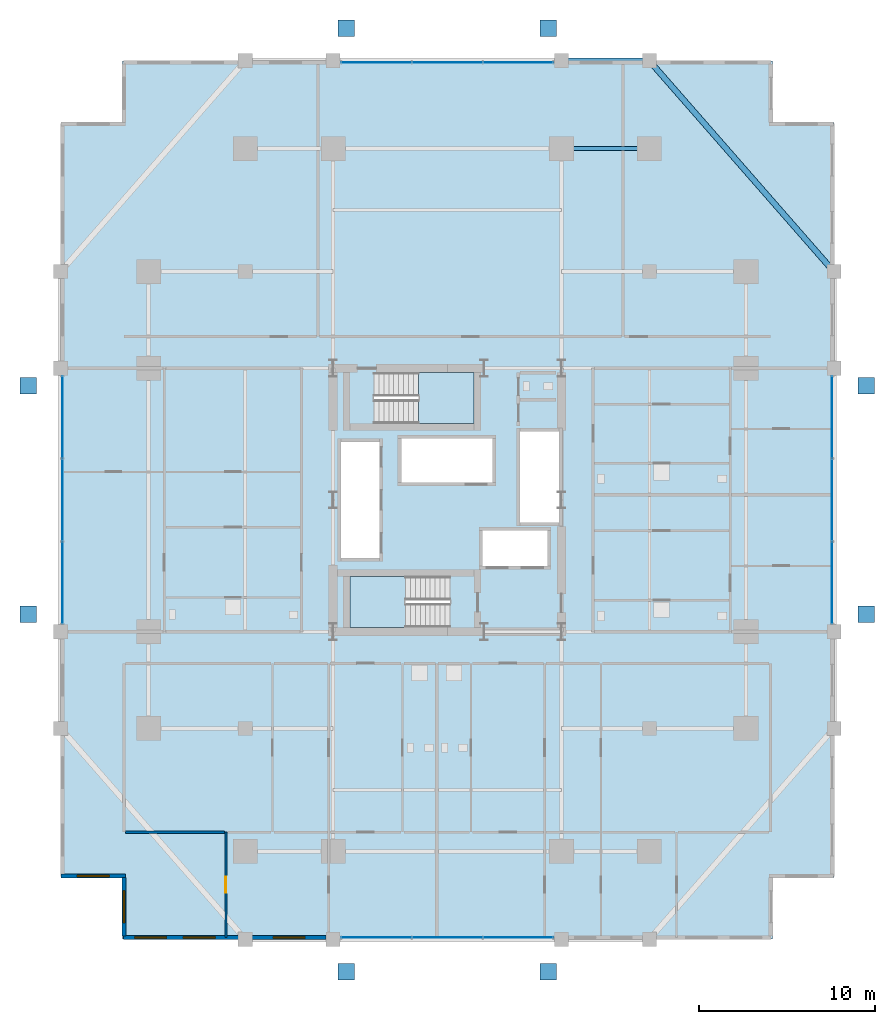
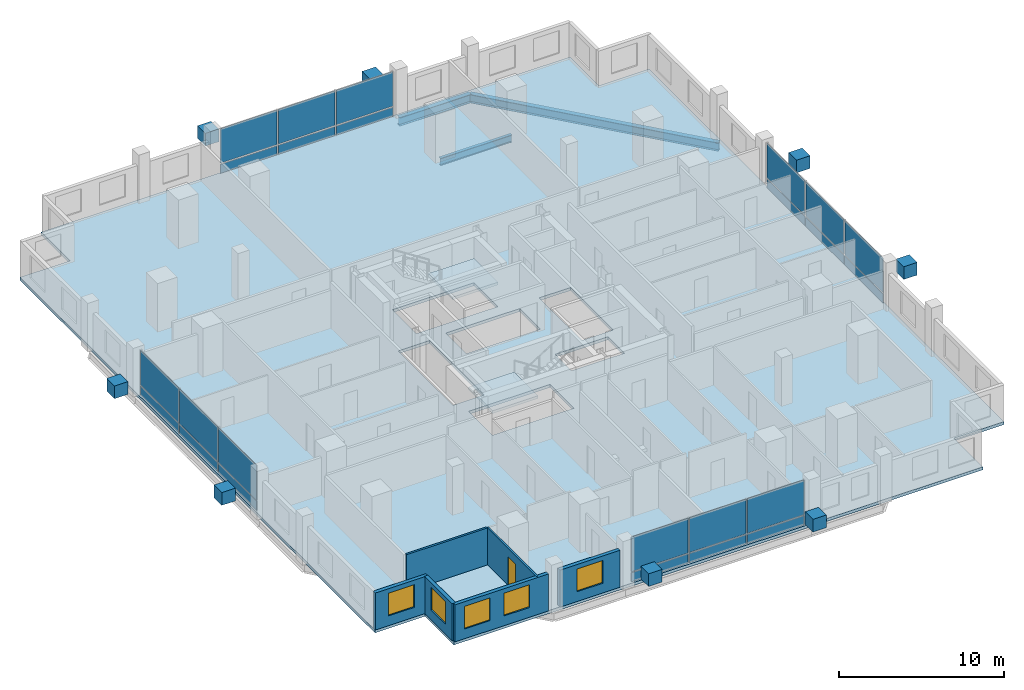
# One storey, part 16 of 23: 32 plates, 6 walls, 5 windows, 3 beams, 3 slabs, 1 door, 6 openings, 6 elements without a shape of their own.
"""IFC4 building model written with IfcOpenShell, lengths in metres."""

from ifc_helpers import new_model, si_unit, direction, frame, frame_2d, origin, origin_2d, place, context, subcontext, project, spatial, polyline, rectangle, i_section, outline, extrude, material, layer, layer_set, material_profile, profile_set, type_object, element, fill, aggregate, save


model = new_model("IFC4")

# Units and contexts
model_context = context("Model", 3, precision=1e-05, world=origin(), true_north=direction((0.0, 1.0)))
body_context = subcontext(model_context, "Body", "Model", "MODEL_VIEW")
ifc_project = project(units=[si_unit("LENGTHUNIT", "METRE"), si_unit("AREAUNIT", "SQUARE_METRE"), si_unit("VOLUMEUNIT", "CUBIC_METRE"), si_unit("PLANEANGLEUNIT", "RADIAN"), si_unit("MASSUNIT", "GRAM", prefix="KILO")], contexts=[model_context])

# Site, building, storey
site_placement = place(None, origin())
site = spatial("IfcSite", under=ifc_project, at=site_placement, CompositionType="ELEMENT")
building_placement = place(site_placement, origin())
building = spatial("IfcBuilding", under=site, at=building_placement, Name="Barlavira Tower and Art Museum", CompositionType="ELEMENT")
storey_placement = place(building_placement, frame((0.0, 0.0, 75.60009765625)))
storey = spatial("IfcBuildingStorey", under=building, at=storey_placement, Name="L18", CompositionType="ELEMENT", Elevation=75.60009765625)

# Beams
ifc_material_1 = material(Name="Steel S355", Category="steel")
ifc_material_profile_1 = material_profile(ifc_material_1, i_section(OverallWidth=0.327880859375, OverallDepth=0.62890625, WebThickness=0.013916015625, FlangeThickness=0.021484375, at=origin_2d()), Name="W610x174.0")
ifc_profile_set_1 = profile_set([ifc_material_profile_1], Name="Steel S355")
beam_type_1 = type_object("IfcBeamType", Name="Perimeter Spandrel Edge Beam W610x174 Steel S355", PredefinedType="SPANDREL", material=ifc_profile_set_1)
beam_1_placement = place(storey_placement, frame((22.0, 13.0, -0.53466796875), z_axis=(-0.658504607869, 0.752576694707, 0.0), x_axis=(-0.752576694707, -0.658504607869, 0.0)))
element("IfcBeam", 1, at=beam_1_placement, inside=storey, type_object=beam_type_1, Name="L18 Spandrel 8", PredefinedType="SPANDREL", context=body_context, shape_type="SweptSolid", body=[
    extrude(i_section(OverallWidth=0.327880859375, OverallDepth=0.62890625, WebThickness=0.013916015625, FlangeThickness=0.021484375, at=origin_2d()), origin(), (0.0, 0.0, 1.0), 15.9453125),
])
beam_2_placement = place(storey_placement, frame((6.5, 25.0, -0.53466796875), z_axis=(1.0, 0.0, 0.0), x_axis=(0.0, 1.0, 0.0)))
element("IfcBeam", 2, at=beam_2_placement, inside=storey, type_object=beam_type_1, Name="L18 Spandrel 9", PredefinedType="SPANDREL", context=body_context, shape_type="SweptSolid", body=[
    extrude(i_section(OverallWidth=0.327880859375, OverallDepth=0.62890625, WebThickness=0.013916015625, FlangeThickness=0.021484375, at=origin_2d()), origin(), (0.0, 0.0, 1.0), 5.0),
])
ifc_material_profile_2 = material_profile(ifc_material_1, i_section(OverallWidth=0.214111328125, OverallDepth=0.549072265625, WebThickness=0.0146484375, FlangeThickness=0.023681640625, at=origin_2d()), Name="W530x138.0")
ifc_profile_set_2 = profile_set([ifc_material_profile_2], Name="Steel S355")
beam_type_2 = type_object("IfcBeamType", Name="Zone 1 Primary Floor Girder W530x138 Steel S355", PredefinedType="BEAM", material=ifc_profile_set_2)
beam_3_placement = place(storey_placement, frame((6.5, 20.0, -0.49462890625), z_axis=(1.0, 0.0, 0.0), x_axis=(0.0, 1.0, 0.0)))
element("IfcBeam", 3, at=beam_3_placement, inside=storey, type_object=beam_type_2, Name="L18 Girder M-N3", PredefinedType="BEAM", context=body_context, shape_type="SweptSolid", body=[
    extrude(i_section(OverallWidth=0.214111328125, OverallDepth=0.549072265625, WebThickness=0.0146484375, FlangeThickness=0.023681640625, at=origin_2d()), origin(), (0.0, 0.0, 1.0), 5.0),
])

# Curtain wall, plates
ifc_material_2 = material(Name="Low-iron coastal laminated glass", Category="glass")
ifc_layer_1 = layer(ifc_material_2, 0.179931640625, Name="Low-iron coastal laminated glass")
ifc_layer_set_1 = layer_set([ifc_layer_1], Name="Low-iron coastal laminated glass")
curtain_wall_type = type_object("IfcCurtainWallType", Name="Pale-Metal Unitised Curtain Wall Zone 1", PredefinedType="NOTDEFINED", material=ifc_layer_set_1)
curtain_wall_1_placement = place(storey_placement, origin())
curtain_wall_1 = element("IfcCurtainWall", 4, at=curtain_wall_1_placement, inside=storey, type_object=curtain_wall_type, Name="L18 Curtain Wall CW1-L18-S-B3", PredefinedType="NOTDEFINED")
ifc_material_3 = material(Name="Pale anodised aluminium", Category="aluminium")
ifc_layer_2 = layer(ifc_material_3, 0.044921875, Name="Pale anodised aluminium")
ifc_layer_set_2 = layer_set([ifc_layer_2], Name="Pale anodised aluminium")
plate_type_1 = type_object("IfcPlateType", Name="Curtain Wall Pale-Metal Spandrel Panel 45", PredefinedType="CURTAIN_PANEL", material=ifc_layer_set_2)
plate_1_placement = place(storey_placement, frame((-4.05322265625, -24.89990234375, 0.039794921875), z_axis=(0.0, 0.0, 1.0), x_axis=(1.0, 0.0, 0.0)))
plate_1 = element("IfcPlate", 5, at=plate_1_placement, type_object=plate_type_1, Name="CW1-L18-S-B3 Spandrel Panel 0", PredefinedType="CURTAIN_PANEL", context=body_context, shape_type="SweptSolid", body=[
    extrude(rectangle(XDim=3.953369140625, YDim=0.044921875, at=origin_2d()), origin(), (0.0, 0.0, 1.0), 0.6640625),
])
plate_2_placement = place(storey_placement, frame((0.0, -24.89990234375, 0.039794921875), z_axis=(0.0, 0.0, 1.0), x_axis=(1.0, 0.0, 0.0)))
plate_2 = element("IfcPlate", 6, at=plate_2_placement, type_object=plate_type_1, Name="CW1-L18-S-B3 Spandrel Panel 1", PredefinedType="CURTAIN_PANEL", context=body_context, shape_type="SweptSolid", body=[
    extrude(rectangle(XDim=3.953369140625, YDim=0.044921875, at=origin_2d()), origin(), (0.0, 0.0, 1.0), 0.6640625),
])
plate_3_placement = place(storey_placement, frame((4.05322265625, -24.89990234375, 0.039794921875), z_axis=(0.0, 0.0, 1.0), x_axis=(1.0, 0.0, 0.0)))
plate_3 = element("IfcPlate", 7, at=plate_3_placement, type_object=plate_type_1, Name="CW1-L18-S-B3 Spandrel Panel 2", PredefinedType="CURTAIN_PANEL", context=body_context, shape_type="SweptSolid", body=[
    extrude(rectangle(XDim=3.953369140625, YDim=0.044921875, at=origin_2d()), origin(), (0.0, 0.0, 1.0), 0.6640625),
])

curtain_wall_2_placement = place(storey_placement, origin())
curtain_wall_2 = element("IfcCurtainWall", 8, at=curtain_wall_2_placement, inside=storey, type_object=curtain_wall_type, Name="L18 Curtain Wall CW1-L18-N-B3", PredefinedType="NOTDEFINED")
plate_4_placement = place(storey_placement, frame((4.05322265625, 24.89990234375, 0.039794921875), z_axis=(0.0, 0.0, 1.0), x_axis=(-1.0, 0.0, 0.0)))
plate_4 = element("IfcPlate", 9, at=plate_4_placement, type_object=plate_type_1, Name="CW1-L18-N-B3 Spandrel Panel 0", PredefinedType="CURTAIN_PANEL", context=body_context, shape_type="SweptSolid", body=[
    extrude(rectangle(XDim=3.953369140625, YDim=0.044921875, at=origin_2d()), origin(), (0.0, 0.0, 1.0), 0.6640625),
])
plate_5_placement = place(storey_placement, frame((0.0, 24.89990234375, 0.039794921875), z_axis=(0.0, 0.0, 1.0), x_axis=(-1.0, 0.0, 0.0)))
plate_5 = element("IfcPlate", 10, at=plate_5_placement, type_object=plate_type_1, Name="CW1-L18-N-B3 Spandrel Panel 1", PredefinedType="CURTAIN_PANEL", context=body_context, shape_type="SweptSolid", body=[
    extrude(rectangle(XDim=3.953369140625, YDim=0.044921875, at=origin_2d()), origin(), (0.0, 0.0, 1.0), 0.6640625),
])
plate_6_placement = place(storey_placement, frame((-4.05322265625, 24.89990234375, 0.039794921875), z_axis=(0.0, 0.0, 1.0), x_axis=(-1.0, 0.0, 0.0)))
plate_6 = element("IfcPlate", 11, at=plate_6_placement, type_object=plate_type_1, Name="CW1-L18-N-B3 Spandrel Panel 2", PredefinedType="CURTAIN_PANEL", context=body_context, shape_type="SweptSolid", body=[
    extrude(rectangle(XDim=3.953369140625, YDim=0.044921875, at=origin_2d()), origin(), (0.0, 0.0, 1.0), 0.6640625),
])

curtain_wall_3_placement = place(storey_placement, origin())
curtain_wall_3 = element("IfcCurtainWall", 12, at=curtain_wall_3_placement, inside=storey, type_object=curtain_wall_type, Name="L18 Curtain Wall CW1-L18-W-B3", PredefinedType="NOTDEFINED")
plate_7_placement = place(storey_placement, frame((-21.89990234375, 4.719970703125, 0.039794921875), z_axis=(0.0, 0.0, 1.0), x_axis=(0.0, -1.0, 0.0)))
plate_7 = element("IfcPlate", 13, at=plate_7_placement, type_object=plate_type_1, Name="CW1-L18-W-B3 Spandrel Panel 0", PredefinedType="CURTAIN_PANEL", context=body_context, shape_type="SweptSolid", body=[
    extrude(rectangle(XDim=4.6201171875, YDim=0.044921875, at=origin_2d()), origin(), (0.0, 0.0, 1.0), 0.6640625),
])
plate_8_placement = place(storey_placement, frame((-21.89990234375, 0.0, 0.039794921875), z_axis=(0.0, 0.0, 1.0), x_axis=(0.0, -1.0, 0.0)))
plate_8 = element("IfcPlate", 14, at=plate_8_placement, type_object=plate_type_1, Name="CW1-L18-W-B3 Spandrel Panel 1", PredefinedType="CURTAIN_PANEL", context=body_context, shape_type="SweptSolid", body=[
    extrude(rectangle(XDim=4.6201171875, YDim=0.044921875, at=origin_2d()), origin(), (0.0, 0.0, 1.0), 0.6640625),
])
plate_9_placement = place(storey_placement, frame((-21.89990234375, -4.719970703125, 0.039794921875), z_axis=(0.0, 0.0, 1.0), x_axis=(0.0, -1.0, 0.0)))
plate_9 = element("IfcPlate", 15, at=plate_9_placement, type_object=plate_type_1, Name="CW1-L18-W-B3 Spandrel Panel 2", PredefinedType="CURTAIN_PANEL", context=body_context, shape_type="SweptSolid", body=[
    extrude(rectangle(XDim=4.6201171875, YDim=0.044921875, at=origin_2d()), origin(), (0.0, 0.0, 1.0), 0.6640625),
])

curtain_wall_4_placement = place(storey_placement, origin())
curtain_wall_4 = element("IfcCurtainWall", 16, at=curtain_wall_4_placement, inside=storey, type_object=curtain_wall_type, Name="L18 Curtain Wall CW1-L18-E-B3", PredefinedType="NOTDEFINED")
plate_10_placement = place(storey_placement, frame((21.89990234375, -4.719970703125, 0.039794921875), z_axis=(0.0, 0.0, 1.0), x_axis=(0.0, 1.0, 0.0)))
plate_10 = element("IfcPlate", 17, at=plate_10_placement, type_object=plate_type_1, Name="CW1-L18-E-B3 Spandrel Panel 0", PredefinedType="CURTAIN_PANEL", context=body_context, shape_type="SweptSolid", body=[
    extrude(rectangle(XDim=4.6201171875, YDim=0.044921875, at=origin_2d()), origin(), (0.0, 0.0, 1.0), 0.6640625),
])
plate_11_placement = place(storey_placement, frame((21.89990234375, 0.0, 0.039794921875), z_axis=(0.0, 0.0, 1.0), x_axis=(0.0, 1.0, 0.0)))
plate_11 = element("IfcPlate", 18, at=plate_11_placement, type_object=plate_type_1, Name="CW1-L18-E-B3 Spandrel Panel 1", PredefinedType="CURTAIN_PANEL", context=body_context, shape_type="SweptSolid", body=[
    extrude(rectangle(XDim=4.6201171875, YDim=0.044921875, at=origin_2d()), origin(), (0.0, 0.0, 1.0), 0.6640625),
])
plate_12_placement = place(storey_placement, frame((21.89990234375, 4.719970703125, 0.039794921875), z_axis=(0.0, 0.0, 1.0), x_axis=(0.0, 1.0, 0.0)))
plate_12 = element("IfcPlate", 19, at=plate_12_placement, type_object=plate_type_1, Name="CW1-L18-E-B3 Spandrel Panel 2", PredefinedType="CURTAIN_PANEL", context=body_context, shape_type="SweptSolid", body=[
    extrude(rectangle(XDim=4.6201171875, YDim=0.044921875, at=origin_2d()), origin(), (0.0, 0.0, 1.0), 0.6640625),
])

# Plate
ifc_layer_3 = layer(ifc_material_2, 0.028076171875, Name="Low-iron coastal laminated glass")
ifc_layer_set_3 = layer_set([ifc_layer_3], Name="Low-iron coastal laminated glass")
plate_type_2 = type_object("IfcPlateType", Name="Curtain Wall Vision Glazing Panel 28", PredefinedType="CURTAIN_PANEL", material=ifc_layer_set_3)
plate_13_placement = place(storey_placement, frame((-4.05322265625, -24.89990234375, 0.7841796875), z_axis=(0.0, 0.0, 1.0), x_axis=(1.0, 0.0, 0.0)))
plate_13 = element("IfcPlate", 20, at=plate_13_placement, type_object=plate_type_2, Name="CW1-L18-S-B3 Vision Glass Panel 0", PredefinedType="CURTAIN_PANEL", context=body_context, shape_type="SweptSolid", body=[
    extrude(rectangle(XDim=3.953369140625, YDim=0.028076171875, at=origin_2d()), origin(), (0.0, 0.0, 1.0), 2.555908203125),
])

plate_14_placement = place(storey_placement, frame((0.0, -24.89990234375, 0.7841796875), z_axis=(0.0, 0.0, 1.0), x_axis=(1.0, 0.0, 0.0)))
plate_14 = element("IfcPlate", 21, at=plate_14_placement, type_object=plate_type_2, Name="CW1-L18-S-B3 Vision Glass Panel 1", PredefinedType="CURTAIN_PANEL", context=body_context, shape_type="SweptSolid", body=[
    extrude(rectangle(XDim=3.953369140625, YDim=0.028076171875, at=origin_2d()), origin(), (0.0, 0.0, 1.0), 2.555908203125),
])

plate_15_placement = place(storey_placement, frame((4.05322265625, -24.89990234375, 0.7841796875), z_axis=(0.0, 0.0, 1.0), x_axis=(1.0, 0.0, 0.0)))
plate_15 = element("IfcPlate", 22, at=plate_15_placement, type_object=plate_type_2, Name="CW1-L18-S-B3 Vision Glass Panel 2", PredefinedType="CURTAIN_PANEL", context=body_context, shape_type="SweptSolid", body=[
    extrude(rectangle(XDim=3.953369140625, YDim=0.028076171875, at=origin_2d()), origin(), (0.0, 0.0, 1.0), 2.555908203125),
])

aggregate(curtain_wall_1, [plate_1, plate_13, plate_2, plate_14, plate_3, plate_15])

plate_16_placement = place(storey_placement, frame((4.05322265625, 24.89990234375, 0.7841796875), z_axis=(0.0, 0.0, 1.0), x_axis=(-1.0, 0.0, 0.0)))
plate_16 = element("IfcPlate", 23, at=plate_16_placement, type_object=plate_type_2, Name="CW1-L18-N-B3 Vision Glass Panel 0", PredefinedType="CURTAIN_PANEL", context=body_context, shape_type="SweptSolid", body=[
    extrude(rectangle(XDim=3.953369140625, YDim=0.028076171875, at=origin_2d()), origin(), (0.0, 0.0, 1.0), 2.555908203125),
])

plate_17_placement = place(storey_placement, frame((0.0, 24.89990234375, 0.7841796875), z_axis=(0.0, 0.0, 1.0), x_axis=(-1.0, 0.0, 0.0)))
plate_17 = element("IfcPlate", 24, at=plate_17_placement, type_object=plate_type_2, Name="CW1-L18-N-B3 Vision Glass Panel 1", PredefinedType="CURTAIN_PANEL", context=body_context, shape_type="SweptSolid", body=[
    extrude(rectangle(XDim=3.953369140625, YDim=0.028076171875, at=origin_2d()), origin(), (0.0, 0.0, 1.0), 2.555908203125),
])

plate_18_placement = place(storey_placement, frame((-4.05322265625, 24.89990234375, 0.7841796875), z_axis=(0.0, 0.0, 1.0), x_axis=(-1.0, 0.0, 0.0)))
plate_18 = element("IfcPlate", 25, at=plate_18_placement, type_object=plate_type_2, Name="CW1-L18-N-B3 Vision Glass Panel 2", PredefinedType="CURTAIN_PANEL", context=body_context, shape_type="SweptSolid", body=[
    extrude(rectangle(XDim=3.953369140625, YDim=0.028076171875, at=origin_2d()), origin(), (0.0, 0.0, 1.0), 2.555908203125),
])

aggregate(curtain_wall_2, [plate_4, plate_16, plate_5, plate_17, plate_6, plate_18])

plate_19_placement = place(storey_placement, frame((-21.89990234375, 4.719970703125, 0.7841796875), z_axis=(0.0, 0.0, 1.0), x_axis=(0.0, -1.0, 0.0)))
plate_19 = element("IfcPlate", 26, at=plate_19_placement, type_object=plate_type_2, Name="CW1-L18-W-B3 Vision Glass Panel 0", PredefinedType="CURTAIN_PANEL", context=body_context, shape_type="SweptSolid", body=[
    extrude(rectangle(XDim=4.6201171875, YDim=0.028076171875, at=origin_2d()), origin(), (0.0, 0.0, 1.0), 2.555908203125),
])

plate_20_placement = place(storey_placement, frame((-21.89990234375, 0.0, 0.7841796875), z_axis=(0.0, 0.0, 1.0), x_axis=(0.0, -1.0, 0.0)))
plate_20 = element("IfcPlate", 27, at=plate_20_placement, type_object=plate_type_2, Name="CW1-L18-W-B3 Vision Glass Panel 1", PredefinedType="CURTAIN_PANEL", context=body_context, shape_type="SweptSolid", body=[
    extrude(rectangle(XDim=4.6201171875, YDim=0.028076171875, at=origin_2d()), origin(), (0.0, 0.0, 1.0), 2.555908203125),
])

plate_21_placement = place(storey_placement, frame((-21.89990234375, -4.719970703125, 0.7841796875), z_axis=(0.0, 0.0, 1.0), x_axis=(0.0, -1.0, 0.0)))
plate_21 = element("IfcPlate", 28, at=plate_21_placement, type_object=plate_type_2, Name="CW1-L18-W-B3 Vision Glass Panel 2", PredefinedType="CURTAIN_PANEL", context=body_context, shape_type="SweptSolid", body=[
    extrude(rectangle(XDim=4.6201171875, YDim=0.028076171875, at=origin_2d()), origin(), (0.0, 0.0, 1.0), 2.555908203125),
])

aggregate(curtain_wall_3, [plate_7, plate_19, plate_8, plate_20, plate_9, plate_21])

plate_22_placement = place(storey_placement, frame((21.89990234375, -4.719970703125, 0.7841796875), z_axis=(0.0, 0.0, 1.0), x_axis=(0.0, 1.0, 0.0)))
plate_22 = element("IfcPlate", 29, at=plate_22_placement, type_object=plate_type_2, Name="CW1-L18-E-B3 Vision Glass Panel 0", PredefinedType="CURTAIN_PANEL", context=body_context, shape_type="SweptSolid", body=[
    extrude(rectangle(XDim=4.6201171875, YDim=0.028076171875, at=origin_2d()), origin(), (0.0, 0.0, 1.0), 2.555908203125),
])

plate_23_placement = place(storey_placement, frame((21.89990234375, 0.0, 0.7841796875), z_axis=(0.0, 0.0, 1.0), x_axis=(0.0, 1.0, 0.0)))
plate_23 = element("IfcPlate", 30, at=plate_23_placement, type_object=plate_type_2, Name="CW1-L18-E-B3 Vision Glass Panel 1", PredefinedType="CURTAIN_PANEL", context=body_context, shape_type="SweptSolid", body=[
    extrude(rectangle(XDim=4.6201171875, YDim=0.028076171875, at=origin_2d()), origin(), (0.0, 0.0, 1.0), 2.555908203125),
])

plate_24_placement = place(storey_placement, frame((21.89990234375, 4.719970703125, 0.7841796875), z_axis=(0.0, 0.0, 1.0), x_axis=(0.0, 1.0, 0.0)))
plate_24 = element("IfcPlate", 31, at=plate_24_placement, type_object=plate_type_2, Name="CW1-L18-E-B3 Vision Glass Panel 2", PredefinedType="CURTAIN_PANEL", context=body_context, shape_type="SweptSolid", body=[
    extrude(rectangle(XDim=4.6201171875, YDim=0.028076171875, at=origin_2d()), origin(), (0.0, 0.0, 1.0), 2.555908203125),
])

aggregate(curtain_wall_4, [plate_10, plate_22, plate_11, plate_23, plate_12, plate_24])

# Plates
ifc_layer_4 = layer(ifc_material_1, 0.93994140625, Name="Steel S355")
ifc_layer_set_4 = layer_set([ifc_layer_4], Name="Steel S355")
plate_type_3 = type_object("IfcPlateType", Name="Exoskeleton Solid Steel Node Cap Plate Assembly Type 1 Steel S355", PredefinedType="USERDEFINED", material=ifc_layer_set_4)
for number, where, z_axis, x_axis, name in (
    (32, (-5.75, -26.85009765625, 1.2099609375), (0.0, 0.0, 1.0), (1.0, 0.0, 0.0), "Exoskeleton Diamond Node S1 ND-L18-0144"),
    (33, (5.75, -26.85009765625, 1.2099609375), (0.0, 0.0, 1.0), (1.0, 0.0, 0.0), "Exoskeleton Diamond Node S2 ND-L18-0145"),
    (34, (-5.75, 26.85009765625, 1.2099609375), (0.0, 0.0, 1.0), (1.0, 0.0, 0.0), "Exoskeleton Diamond Node N1 ND-L18-0152"),
    (35, (5.75, 26.85009765625, 1.2099609375), (0.0, 0.0, 1.0), (1.0, 0.0, 0.0), "Exoskeleton Diamond Node N2 ND-L18-0153"),
    (36, (-23.85009765625, -6.5, 1.2099609375), (0.0, 0.0, 1.0), (1.0, 0.0, 0.0), "Exoskeleton Diamond Node W1 ND-L18-0160"),
    (37, (-23.85009765625, 6.5, 1.2099609375), (0.0, 0.0, 1.0), (1.0, 0.0, 0.0), "Exoskeleton Diamond Node W2 ND-L18-0161"),
    (38, (23.85009765625, -6.5, 1.2099609375), (0.0, 0.0, 1.0), (1.0, 0.0, 0.0), "Exoskeleton Diamond Node E1 ND-L18-0168"),
    (39, (23.85009765625, 6.5, 1.2099609375), (0.0, 0.0, 1.0), (1.0, 0.0, 0.0), "Exoskeleton Diamond Node E2 ND-L18-0169"),
):
    element("IfcPlate", number, at=place(storey_placement, frame(where, z_axis=z_axis, x_axis=x_axis)), inside=storey, type_object=plate_type_3, Name=name, ObjectType="FLANGE_PLATE", PredefinedType="USERDEFINED", context=body_context, shape_type="SweptSolid", body=[
        extrude(rectangle(XDim=0.93994140625, YDim=0.93994140625, at=origin_2d()), origin(), (0.0, 0.0, 1.0), 0.93994140625),
    ])

# Stair, slab
ifc_material_4 = material(Name="Concrete C45", Category="concrete")
stair_type_1 = type_object("IfcStairType", Name="Tower North Dog-Leg Exit Stair Assembly Concrete C45", PredefinedType="TWO_QUARTER_TURN_STAIR", material=ifc_material_4)
stair_1_placement = place(storey_placement, origin())
stair_1 = element("IfcStair", 40, at=stair_1_placement, inside=storey, type_object=stair_type_1, Name="L18 Tower North Exit Stair ST-T2", PredefinedType="TWO_QUARTER_TURN_STAIR")
ifc_layer_5 = layer(ifc_material_4, 0.199951171875, Name="Concrete C45")
ifc_layer_set_5 = layer_set([ifc_layer_5], Name="Concrete C45")
slab_type_1 = type_object("IfcSlabType", Name="Tower North Dog-Leg Exit Stair Half-Landing Slab 200 Concrete C45", PredefinedType="LANDING", material=ifc_layer_set_5)
slab_1_placement = place(storey_placement, frame((0.0, 0.0, 1.599853515625)))
slab_1 = element("IfcSlab", 41, at=slab_1_placement, type_object=slab_type_1, Name="ST-T2 landing 1", PredefinedType="LANDING", context=body_context, shape_type="SweptSolid", body=[
    extrude(outline(polyline([(-1.64990234375, 4.35009765625), (1.530029296875, 4.35009765625), (1.530029296875, 7.25), (-1.64990234375, 7.25), (-1.64990234375, 4.35009765625)])), origin(), (0.0, 0.0, 1.0), 0.199951171875),
])
aggregate(stair_1, [slab_1])

stair_type_2 = type_object("IfcStairType", Name="Tower South Dog-Leg Exit Stair Assembly Concrete C45", PredefinedType="TWO_QUARTER_TURN_STAIR", material=ifc_material_4)
stair_2_placement = place(storey_placement, origin())
stair_2 = element("IfcStair", 42, at=stair_2_placement, inside=storey, type_object=stair_type_2, Name="L18 Tower South Exit Stair ST-T1", PredefinedType="TWO_QUARTER_TURN_STAIR")
ifc_layer_6 = layer(ifc_material_4, 0.199951171875, Name="Concrete C45")
ifc_layer_set_6 = layer_set([ifc_layer_6], Name="Concrete C45")
slab_type_2 = type_object("IfcSlabType", Name="Tower South Dog-Leg Exit Stair Half-Landing Slab 200 Concrete C45", PredefinedType="LANDING", material=ifc_layer_set_6)
slab_2_placement = place(storey_placement, frame((0.0, 0.0, 1.599853515625)))
slab_2 = element("IfcSlab", 43, at=slab_2_placement, type_object=slab_type_2, Name="ST-T1 landing 1", PredefinedType="LANDING", context=body_context, shape_type="SweptSolid", body=[
    extrude(outline(polyline([(-2.3701171875, -4.35009765625), (-5.550048828125, -4.35009765625), (-5.550048828125, -7.25), (-2.3701171875, -7.25), (-2.3701171875, -4.35009765625)])), origin(), (0.0, 0.0, 1.0), 0.199951171875),
])
aggregate(stair_2, [slab_2])

# Slab
ifc_material_5 = material(Name="Concrete C50", Category="concrete")
ifc_layer_7 = layer(ifc_material_5, 0.219970703125, Name="Concrete C50")
ifc_layer_set_7 = layer_set([ifc_layer_7], Name="Concrete C50")
slab_type_3 = type_object("IfcSlabType", Name="Zone 1 Residential Composite Slab 220 Concrete C50", PredefinedType="FLOOR", material=ifc_layer_set_7)
slab_3_placement = place(storey_placement, frame((0.0, 0.0, -0.22021484375)))
element("IfcSlab", 44, at=slab_3_placement, inside=storey, type_object=slab_type_3, Name="L18 Tower Floor Slab", PredefinedType="FLOOR", context=body_context, shape_type="SweptSolid", body=[
    extrude(outline(polyline([(-18.5, -25.0), (18.5, -25.0), (18.5, -21.5), (22.0, -21.5), (22.0, 21.5), (18.5, 21.5), (18.5, 25.0), (-18.5, 25.0), (-18.5, 21.5), (-22.0, 21.5), (-22.0, -21.5), (-18.5, -21.5), (-18.5, -25.0)]), holes=[polyline([(0.14990234375, -4.35009765625), (-5.550048828125, -4.35009765625), (-5.550048828125, -7.25), (0.14990234375, -7.25), (0.14990234375, -4.35009765625)]), polyline([(-4.169921875, 4.35009765625), (1.530029296875, 4.35009765625), (1.530029296875, 7.25), (-4.169921875, 7.25), (-4.169921875, 4.35009765625)]), polyline([(-6.050048828125, -3.31005859375), (-3.85009765625, -3.31005859375), (-3.85009765625, 3.31005859375), (-6.050048828125, 3.31005859375), (-6.050048828125, -3.31005859375)]), polyline([(4.14990234375, -1.2900390625), (6.35009765625, -1.2900390625), (6.35009765625, 3.889892578125), (4.14990234375, 3.889892578125), (4.14990234375, -1.2900390625)]), polyline([(-2.6201171875, 1.0), (2.56005859375, 1.0), (2.56005859375, 3.5), (-2.6201171875, 3.5), (-2.6201171875, 1.0)]), polyline([(2.0, -3.75), (5.699951171875, -3.75), (5.699951171875, -1.75), (2.0, -1.75), (2.0, -3.75)])]), origin(), (0.0, 0.0, 1.0), 0.22021484375),
])

# Wall, opening, door
ifc_material_6 = material(Name="Gypsum acoustic stud partition", Category="gypsum")
ifc_layer_8 = layer(ifc_material_6, 0.1201171875, Name="Gypsum acoustic stud partition")
ifc_layer_set_8 = layer_set([ifc_layer_8], Name="Gypsum acoustic stud partition")
wall_type_1 = type_object("IfcWallType", Name="Apartment Internal Acoustic Partition 120", PredefinedType="PARTITIONING", material=ifc_layer_set_8)
wall_1_placement = place(storey_placement, frame((-12.60009765625, -24.89990234375, 0.0), z_axis=(0.0, 0.0, 1.0), x_axis=(0.0, 1.0, 0.0)))
wall_1 = element("IfcWall", 45, at=wall_1_placement, inside=storey, type_object=wall_type_1, Name="L18 Partition Wall 3", PredefinedType="PARTITIONING", context=body_context, shape_type="SweptSolid", body=[
    extrude(rectangle(XDim=6.0, YDim=0.1201171875, at=frame_2d((3.0, 0.0))), origin(), (0.0, 0.0, 1.0), 2.73583984375),
])
opening_1_placement = place(wall_1_placement, frame((2.550048828125, 0.0, 0.0)))
opening_1 = element("IfcOpeningElement", 46, at=opening_1_placement, cuts=wall_1, Name="Opening D-01", PredefinedType="OPENING", context=body_context, shape_type="SweptSolid", body=[
    extrude(rectangle(XDim=0.89990234375, YDim=2.10009765625, at=frame_2d((0.449951171875, 1.050048828125))), frame((0.0, 0.070068359375, 0.0), z_axis=(0.0, -1.0, 0.0), x_axis=(1.0, 0.0, 0.0)), (0.0, 0.0, 1.0), 0.14013671875),
])
ifc_material_7 = material(Name="Engineered coastal hardwood", Category="wood")
door_type = type_object("IfcDoorType", Name="Internal Bedroom Timber Flush Door 900x2100", OperationType="NOTDEFINED", PredefinedType="DOOR", material=ifc_material_7)
door_placement = place(opening_1_placement, origin())
door = element("IfcDoor", 47, at=door_placement, inside=storey, type_object=door_type, Name="Apartment S1 Bedroom 2 Door", OperationType="SINGLE_SWING_RIGHT", OverallHeight=2.10009765625, OverallWidth=0.89990234375, PredefinedType="DOOR", context=body_context, shape_type="SweptSolid", body=[
    extrude(rectangle(XDim=0.89990234375, YDim=2.10009765625, at=frame_2d((0.449951171875, 1.050048828125))), frame((0.0, 0.02490234375, 0.0), z_axis=(0.0, -1.0, 0.0), x_axis=(1.0, 0.0, 0.0)), (0.0, 0.0, 1.0), 0.050048828125),
])
fill(opening_1, door)

# Wall
ifc_layer_9 = layer(ifc_material_6, 0.139892578125, Name="Gypsum acoustic stud partition")
ifc_layer_set_9 = layer_set([ifc_layer_9], Name="Gypsum acoustic stud partition")
wall_type_2 = type_object("IfcWallType", Name="Moisture-Resistant Bathroom Partition 140", PredefinedType="PARTITIONING", material=ifc_layer_set_9)
wall_2_placement = place(storey_placement, frame((-18.320068359375, -18.89990234375, 0.0), z_axis=(0.0, 0.0, 1.0), x_axis=(1.0, 0.0, 0.0)))
element("IfcWall", 48, at=wall_2_placement, inside=storey, type_object=wall_type_2, Name="L18 Partition Wall 19", PredefinedType="PARTITIONING", context=body_context, shape_type="SweptSolid", body=[
    extrude(rectangle(XDim=5.64013671875, YDim=0.139892578125, at=frame_2d((2.820068359375, 0.0))), origin(), (0.0, 0.0, 1.0), 2.73583984375),
])

# Wall, openings, windows
ifc_material_8 = material(Name="Precast concrete C40", Category="concrete")
ifc_layer_10 = layer(ifc_material_8, 0.25, Name="Precast concrete C40")
ifc_layer_set_10 = layer_set([ifc_layer_10], Name="Precast concrete C40")
wall_type_3 = type_object("IfcWallType", Name="Notched Corner Spandrel Wall 250 Precast Concrete C40", PredefinedType="SOLIDWALL", material=ifc_layer_set_10)
wall_3_placement = place(storey_placement, frame((-18.425048828125, -24.89990234375, 0.0), z_axis=(0.0, 0.0, 1.0), x_axis=(1.0, 0.0, 0.0)))
wall_3 = element("IfcWall", 49, at=wall_3_placement, inside=storey, type_object=wall_type_3, Name="L18 Coastal Facade Pier Wall CW1-L18-S-1", PredefinedType="SOLIDWALL", context=body_context, shape_type="SweptSolid", body=[
    extrude(rectangle(XDim=6.530029296875, YDim=0.25, at=frame_2d((3.26513671875, 0.0))), origin(), (0.0, 0.0, 1.0), 2.73583984375),
])
opening_2_placement = place(wall_3_placement, frame((0.64111328125, 0.0, 0.719970703125)))
opening_2 = element("IfcOpeningElement", 50, at=opening_2_placement, cuts=wall_3, Name="Opening WN-01", PredefinedType="OPENING", context=body_context, shape_type="SweptSolid", body=[
    extrude(rectangle(XDim=1.800048828125, YDim=1.679931640625, at=frame_2d((0.89990234375, 0.83984375))), frame((0.0, 0.135009765625, 0.0), z_axis=(0.0, -1.0, 0.0), x_axis=(1.0, 0.0, 0.0)), (0.0, 0.0, 1.0), 0.27001953125),
])
opening_3_placement = place(wall_3_placement, frame((3.404052734375, 0.0, 0.719970703125)))
opening_3 = element("IfcOpeningElement", 51, at=opening_3_placement, cuts=wall_3, Name="Opening WN-01", PredefinedType="OPENING", context=body_context, shape_type="SweptSolid", body=[
    extrude(rectangle(XDim=1.800048828125, YDim=1.679931640625, at=frame_2d((0.89990234375, 0.83984375))), frame((0.0, 0.135009765625, 0.0), z_axis=(0.0, -1.0, 0.0), x_axis=(1.0, 0.0, 0.0)), (0.0, 0.0, 1.0), 0.27001953125),
])
window_type = type_object("IfcWindowType", Name="Recessed Notch Corner Punch Window 1800x1680", PartitioningType="SINGLE_PANEL", PredefinedType="WINDOW", material=ifc_material_2)
window_1_placement = place(opening_2_placement, origin())
window_1 = element("IfcWindow", 52, at=window_1_placement, inside=storey, type_object=window_type, Name="L18 Punched Facade Window EWP-CW1-L18-S-1-1", OverallHeight=1.679931640625, OverallWidth=1.800048828125, PartitioningType="SINGLE_PANEL", PredefinedType="WINDOW", context=body_context, shape_type="SweptSolid", body=[
    extrude(rectangle(XDim=1.800048828125, YDim=1.679931640625, at=frame_2d((0.89990234375, 0.83984375))), frame((0.0, 0.030029296875, 0.0), z_axis=(0.0, -1.0, 0.0), x_axis=(1.0, 0.0, 0.0)), (0.0, 0.0, 1.0), 0.06005859375),
])
fill(opening_2, window_1)
window_2_placement = place(opening_3_placement, origin())
window_2 = element("IfcWindow", 53, at=window_2_placement, inside=storey, type_object=window_type, Name="L18 Punched Facade Window EWP-CW1-L18-S-1-2", OverallHeight=1.679931640625, OverallWidth=1.800048828125, PartitioningType="SINGLE_PANEL", PredefinedType="WINDOW", context=body_context, shape_type="SweptSolid", body=[
    extrude(rectangle(XDim=1.800048828125, YDim=1.679931640625, at=frame_2d((0.89990234375, 0.83984375))), frame((0.0, 0.030029296875, 0.0), z_axis=(0.0, -1.0, 0.0), x_axis=(1.0, 0.0, 0.0)), (0.0, 0.0, 1.0), 0.06005859375),
])
fill(opening_3, window_2)

# Wall, opening, window
wall_4_placement = place(storey_placement, frame((-11.10498046875, -24.89990234375, 0.0), z_axis=(0.0, 0.0, 1.0), x_axis=(1.0, 0.0, 0.0)))
wall_4 = element("IfcWall", 54, at=wall_4_placement, inside=storey, type_object=wall_type_3, Name="L18 Coastal Facade Pier Wall CW1-L18-S-2", PredefinedType="SOLIDWALL", context=body_context, shape_type="SweptSolid", body=[
    extrude(rectangle(XDim=4.2099609375, YDim=0.25, at=frame_2d((2.10498046875, 0.0))), origin(), (0.0, 0.0, 1.0), 2.73583984375),
])
opening_4_placement = place(wall_4_placement, frame((1.205078125, 0.0, 0.719970703125)))
opening_4 = element("IfcOpeningElement", 55, at=opening_4_placement, cuts=wall_4, Name="Opening WN-01", PredefinedType="OPENING", context=body_context, shape_type="SweptSolid", body=[
    extrude(rectangle(XDim=1.800048828125, YDim=1.679931640625, at=frame_2d((0.89990234375, 0.83984375))), frame((0.0, 0.135009765625, 0.0), z_axis=(0.0, -1.0, 0.0), x_axis=(1.0, 0.0, 0.0)), (0.0, 0.0, 1.0), 0.27001953125),
])
window_3_placement = place(opening_4_placement, origin())
window_3 = element("IfcWindow", 56, at=window_3_placement, inside=storey, type_object=window_type, Name="L18 Punched Facade Window EWP-CW1-L18-S-2-1", OverallHeight=1.679931640625, OverallWidth=1.800048828125, PartitioningType="SINGLE_PANEL", PredefinedType="WINDOW", context=body_context, shape_type="SweptSolid", body=[
    extrude(rectangle(XDim=1.800048828125, YDim=1.679931640625, at=frame_2d((0.89990234375, 0.83984375))), frame((0.0, 0.030029296875, 0.0), z_axis=(0.0, -1.0, 0.0), x_axis=(1.0, 0.0, 0.0)), (0.0, 0.0, 1.0), 0.06005859375),
])
fill(opening_4, window_3)

wall_5_placement = place(storey_placement, frame((-21.97998046875, -21.39990234375, 0.0), z_axis=(0.0, 0.0, 1.0), x_axis=(1.0, 0.0, 0.0)))
wall_5 = element("IfcWall", 57, at=wall_5_placement, inside=storey, type_object=wall_type_3, Name="L18 Notch Corner Wall SW1", PredefinedType="SOLIDWALL", context=body_context, shape_type="SweptSolid", body=[
    extrude(rectangle(XDim=3.659912109375, YDim=0.25, at=frame_2d((1.830078125, 0.0))), origin(), (0.0, 0.0, 1.0), 2.73583984375),
])
opening_5_placement = place(wall_5_placement, frame((0.929931640625, 0.0, 0.719970703125)))
opening_5 = element("IfcOpeningElement", 58, at=opening_5_placement, cuts=wall_5, Name="Opening WN-01", PredefinedType="OPENING", context=body_context, shape_type="SweptSolid", body=[
    extrude(rectangle(XDim=1.800048828125, YDim=1.679931640625, at=frame_2d((0.89990234375, 0.83984375))), frame((0.0, 0.135009765625, 0.0), z_axis=(0.0, -1.0, 0.0), x_axis=(1.0, 0.0, 0.0)), (0.0, 0.0, 1.0), 0.27001953125),
])
window_4_placement = place(opening_5_placement, origin())
window_4 = element("IfcWindow", 59, at=window_4_placement, inside=storey, type_object=window_type, Name="L18 Punched Facade Window EW-NTC-L18-SW1-1", OverallHeight=1.679931640625, OverallWidth=1.800048828125, PartitioningType="SINGLE_PANEL", PredefinedType="WINDOW", context=body_context, shape_type="SweptSolid", body=[
    extrude(rectangle(XDim=1.800048828125, YDim=1.679931640625, at=frame_2d((0.89990234375, 0.83984375))), frame((0.0, 0.030029296875, 0.0), z_axis=(0.0, -1.0, 0.0), x_axis=(1.0, 0.0, 0.0)), (0.0, 0.0, 1.0), 0.06005859375),
])
fill(opening_5, window_4)

wall_6_placement = place(storey_placement, frame((-18.39990234375, -21.47998046875, 0.0), z_axis=(0.0, 0.0, 1.0), x_axis=(0.0, -1.0, 0.0)))
wall_6 = element("IfcWall", 60, at=wall_6_placement, inside=storey, type_object=wall_type_3, Name="L18 Notch Corner Wall SW2", PredefinedType="SOLIDWALL", context=body_context, shape_type="SweptSolid", body=[
    extrude(rectangle(XDim=3.340087890625, YDim=0.25, at=frame_2d((1.669921875, 0.0))), origin(), (0.0, 0.0, 1.0), 2.73583984375),
])
opening_6_placement = place(wall_6_placement, frame((0.77001953125, 0.0, 0.719970703125)))
opening_6 = element("IfcOpeningElement", 61, at=opening_6_placement, cuts=wall_6, Name="Opening WN-01", PredefinedType="OPENING", context=body_context, shape_type="SweptSolid", body=[
    extrude(rectangle(XDim=1.800048828125, YDim=1.679931640625, at=frame_2d((0.89990234375, 0.83984375))), frame((0.0, 0.135009765625, 0.0), z_axis=(0.0, -1.0, 0.0), x_axis=(1.0, 0.0, 0.0)), (0.0, 0.0, 1.0), 0.27001953125),
])
window_5_placement = place(opening_6_placement, origin())
window_5 = element("IfcWindow", 62, at=window_5_placement, inside=storey, type_object=window_type, Name="L18 Punched Facade Window EW-NTC-L18-SW2-1", OverallHeight=1.679931640625, OverallWidth=1.800048828125, PartitioningType="SINGLE_PANEL", PredefinedType="WINDOW", context=body_context, shape_type="SweptSolid", body=[
    extrude(rectangle(XDim=1.800048828125, YDim=1.679931640625, at=frame_2d((0.89990234375, 0.83984375))), frame((0.0, 0.030029296875, 0.0), z_axis=(0.0, -1.0, 0.0), x_axis=(1.0, 0.0, 0.0)), (0.0, 0.0, 1.0), 0.06005859375),
])
fill(opening_6, window_5)

save(model, "model.ifc")
